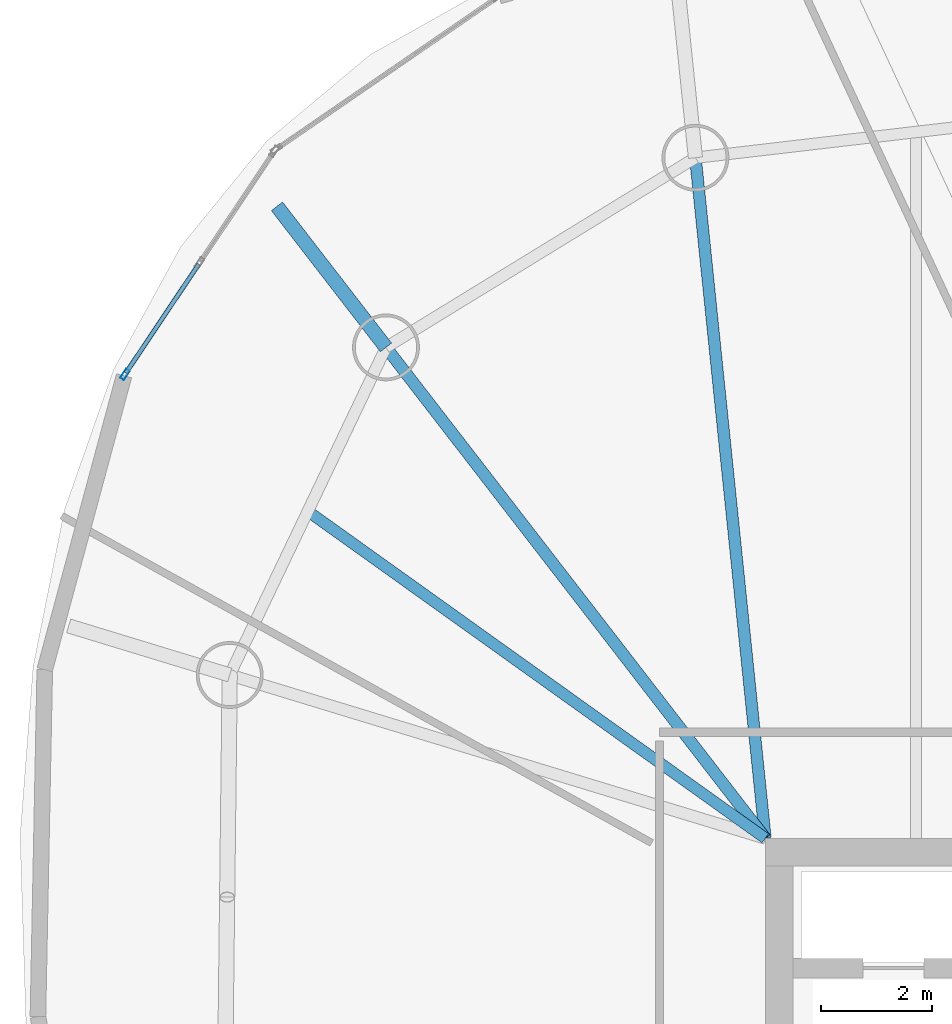
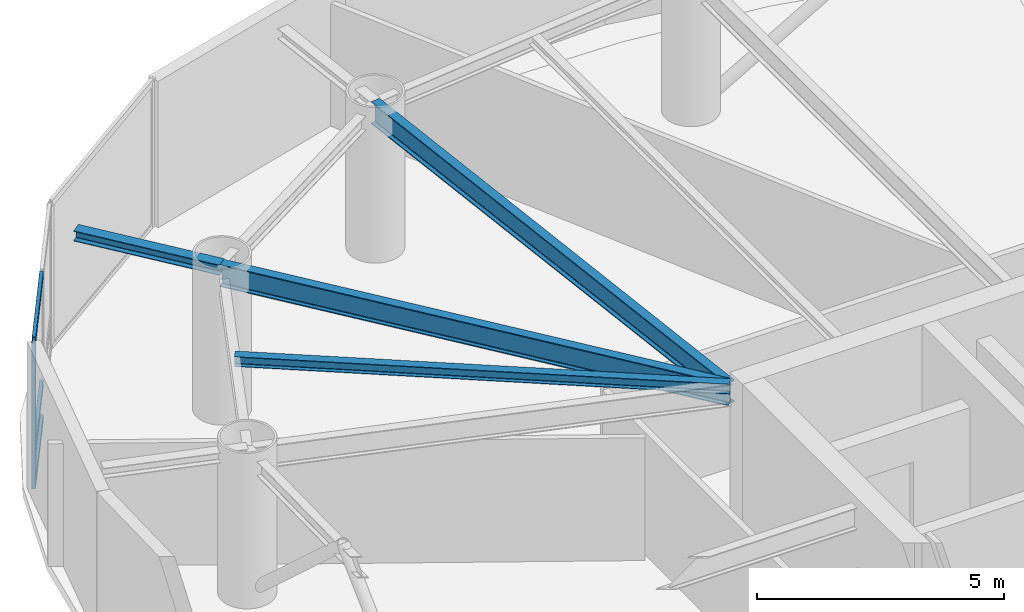
# One storey, part 6 of 16: 4 beams, 4 members, 1 element without a shape of its own.
"""IFC4 building model written with IfcOpenShell, lengths in metres."""

from ifc_helpers import new_model, si_unit, direction, frame, origin, origin_2d, place, context, subcontext, project, spatial, hollow_rectangle, i_section, extrude, material, layer, layer_set, material_profile, profile_set, type_object, element, aggregate, save


model = new_model("IFC4")

# Units and contexts
model_context = context("Model", 3, precision=1e-05, world=origin(), true_north=direction((0.0, 1.0)))
body_context = subcontext(model_context, "Body", "Model", "MODEL_VIEW")
ifc_project = project(units=[si_unit("LENGTHUNIT", "METRE"), si_unit("AREAUNIT", "SQUARE_METRE"), si_unit("VOLUMEUNIT", "CUBIC_METRE"), si_unit("PLANEANGLEUNIT", "RADIAN"), si_unit("MASSUNIT", "GRAM", prefix="KILO")], contexts=[model_context])

# Site, building, storey
site_placement = place(None, origin())
site = spatial("IfcSite", under=ifc_project, at=site_placement, CompositionType="ELEMENT")
building_placement = place(site_placement, origin())
building = spatial("IfcBuilding", under=site, at=building_placement, Name="Bramvorn Convention Spire", CompositionType="ELEMENT")
storey_placement = place(building_placement, frame((0.0, 0.0, 209.699951171875)))
storey = spatial("IfcBuildingStorey", under=building, at=storey_placement, Name="L53", CompositionType="ELEMENT", Elevation=209.699951171875)

# Beams
ifc_material_1 = material(Name="Steel CSA G40.21 Grade 350 (350W)", Category="steel")
ifc_material_profile_1 = material_profile(ifc_material_1, i_section(OverallWidth=0.201904296875, OverallDepth=0.2470703125, WebThickness=0.00732421875, FlangeThickness=0.010986328125, FilletRadius=0.011962890625, at=origin_2d()))
ifc_profile_set_1 = profile_set([ifc_material_profile_1], Name="Steel CSA G40.21 Grade 350 (350W) - W250X49")
beam_type_1 = type_object("IfcBeamType", Name="BM-W250X49", PredefinedType="JOIST", material=ifc_profile_set_1)
beam_1_placement = place(storey_placement, frame((26.75, 33.449951171875, 3.49658203125), z_axis=(-0.813471895271, 0.581604225916, 0.0), x_axis=(-0.581604225916, -0.813471895271, 0.0)))
element("IfcBeam", 1, at=beam_1_placement, inside=storey, type_object=beam_type_1, Name="L53 composite floor joist 09", PredefinedType="JOIST", context=body_context, shape_type="SweptSolid", body=[
    extrude(i_section(OverallWidth=0.201904296875, OverallDepth=0.2470703125, WebThickness=0.00732421875, FlangeThickness=0.010986328125, FilletRadius=0.011962890625, at=origin_2d()), origin(), (0.0, 0.0, 1.0), 10.093505859375),
])
ifc_material_profile_2 = material_profile(ifc_material_1, i_section(OverallWidth=0.25390625, OverallDepth=0.2529296875, WebThickness=0.008544921875, FlangeThickness=0.01416015625, FilletRadius=0.011962890625, at=origin_2d()))
ifc_profile_set_2 = profile_set([ifc_material_profile_2], Name="Steel CSA G40.21 Grade 350 (350W) - W250X73")
beam_type_2 = type_object("IfcBeamType", Name="BM-W250X73", PredefinedType="BEAM", material=ifc_profile_set_2)
beam_2_placement = place(storey_placement, frame((19.941650390625, 42.260009765625, 3.49365234375), z_axis=(-0.611497441422, 0.791246408607, 0.0), x_axis=(-0.791246408607, -0.611497441422, 0.0)))
element("IfcBeam", 2, at=beam_2_placement, inside=storey, type_object=beam_type_2, Name="L53 slab-edge cantilever tip beam MC09", PredefinedType="BEAM", context=body_context, shape_type="SweptSolid", body=[
    extrude(i_section(OverallWidth=0.25390625, OverallDepth=0.2529296875, WebThickness=0.008544921875, FlangeThickness=0.01416015625, FilletRadius=0.011962890625, at=origin_2d()), origin(), (0.0, 0.0, 1.0), 3.199951171875),
])
ifc_material_profile_3 = material_profile(ifc_material_1, i_section(OverallWidth=0.2119140625, OverallDepth=0.5439453125, WebThickness=0.01318359375, FlangeThickness=0.021240234375, FilletRadius=0.01904296875, at=origin_2d()))
ifc_profile_set_3 = profile_set([ifc_material_profile_3], Name="Steel CSA G40.21 Grade 350 (350W) - W530X123")
beam_type_3 = type_object("IfcBeamType", Name="BM-W530X123", PredefinedType="BEAM", material=ifc_profile_set_3)
beam_3_placement = place(storey_placement, frame((26.75, 33.449951171875, 3.34814453125), z_axis=(-0.10216509146, 0.994767457292, 0.0), x_axis=(-0.994767457292, -0.10216509146, 0.0)))
element("IfcBeam", 3, at=beam_3_placement, inside=storey, type_object=beam_type_3, Name="L53 radial floor girder MC08", PredefinedType="BEAM", context=body_context, shape_type="SweptSolid", body=[
    extrude(i_section(OverallWidth=0.2119140625, OverallDepth=0.5439453125, WebThickness=0.01318359375, FlangeThickness=0.021240234375, FilletRadius=0.01904296875, at=origin_2d()), origin(), (0.0, 0.0, 1.0), 12.278076171875),
])
beam_4_placement = place(storey_placement, frame((26.75, 33.449951171875, 3.34814453125), z_axis=(-0.611479951477, 0.791259925019, 0.0), x_axis=(-0.791259925019, -0.611479951477, 0.0)))
element("IfcBeam", 4, at=beam_4_placement, inside=storey, type_object=beam_type_3, Name="L53 radial floor girder MC09", PredefinedType="BEAM", context=body_context, shape_type="SweptSolid", body=[
    extrude(i_section(OverallWidth=0.2119140625, OverallDepth=0.5439453125, WebThickness=0.01318359375, FlangeThickness=0.021240234375, FilletRadius=0.01904296875, at=origin_2d()), origin(), (0.0, 0.0, 1.0), 11.13427734375),
])

# Curtain wall, members
ifc_material_2 = material(Name="Anodised Bronze Unitised Curtain Wall", Category="aluminium")
ifc_layer = layer(ifc_material_2, 0.179931640625)
ifc_layer_set = layer_set([ifc_layer], Name="Anodised Bronze Unitised Curtain Wall - CW-OFF-FRIT")
curtain_wall_type = type_object("IfcCurtainWallType", Name="CW-OFF-FRIT", PredefinedType="USERDEFINED", material=ifc_layer_set)
curtain_wall_placement = place(storey_placement, origin())
curtain_wall = element("IfcCurtainWall", 5, at=curtain_wall_placement, inside=storey, type_object=curtain_wall_type, Name="L53 fritted glass curtain wall 13", ObjectType="UNITISED CURTAIN WALL", PredefinedType="USERDEFINED")
ifc_material_3 = material(Name="Anodised Bronze Aluminium 6063-T6", Category="aluminium")
ifc_material_profile_4 = material_profile(ifc_material_3, hollow_rectangle(XDim=0.080078125, YDim=0.199951171875, WallThickness=0.00390625, InnerFilletRadius=0.0009765625, OuterFilletRadius=0.00390625, at=origin_2d()))
ifc_profile_set_4 = profile_set([ifc_material_profile_4], Name="Anodised Bronze Aluminium 6063-T6 - CWM80X200")
member_type_1 = type_object("IfcMemberType", Name="CW-MUL-180", PredefinedType="MULLION", material=ifc_profile_set_4)
member_1_placement = place(storey_placement, frame((15.257568359375, 41.776123046875, 0.0), z_axis=(0.0, 0.0, 1.0), x_axis=(-0.831143705963, 0.5560576769, 0.0)))
member_1 = element("IfcMember", 6, at=member_1_placement, type_object=member_type_1, Name="CW3 mullion 1", PredefinedType="MULLION", context=body_context, shape_type="SweptSolid", body=[
    extrude(hollow_rectangle(XDim=0.080078125, YDim=0.199951171875, WallThickness=0.00390625, InnerFilletRadius=0.0009765625, OuterFilletRadius=0.00390625, at=origin_2d()), origin(), (0.0, 0.0, 1.0), 3.6201171875),
])
ifc_material_profile_5 = material_profile(ifc_material_3, hollow_rectangle(XDim=0.080078125, YDim=0.159912109375, WallThickness=0.00390625, InnerFilletRadius=0.0009765625, OuterFilletRadius=0.00390625, at=origin_2d()))
ifc_profile_set_5 = profile_set([ifc_material_profile_5], Name="Anodised Bronze Aluminium 6063-T6 - CWT80X160")
member_type_2 = type_object("IfcMemberType", Name="CW-TRN-150", PredefinedType="USERDEFINED", material=ifc_profile_set_5)
member_2_placement = place(storey_placement, frame((15.274169921875, 41.80126953125, 0.030029296875), z_axis=(0.556114932598, 0.831105397493, 0.0), x_axis=(-0.831105397493, 0.556114932598, 0.0)))
member_2 = element("IfcMember", 7, at=member_2_placement, type_object=member_type_2, Name="CW3 transom 1.1", ObjectType="TRANSOM", PredefinedType="USERDEFINED", context=body_context, shape_type="SweptSolid", body=[
    extrude(hollow_rectangle(XDim=0.080078125, YDim=0.159912109375, WallThickness=0.00390625, InnerFilletRadius=0.0009765625, OuterFilletRadius=0.00390625, at=origin_2d()), origin(), (0.0, 0.0, 1.0), 2.348388671875),
])
member_3_placement = place(storey_placement, frame((15.274169921875, 41.80126953125, 0.900146484375), z_axis=(0.556114932598, 0.831105397493, 0.0), x_axis=(-0.831105397493, 0.556114932598, 0.0)))
member_3 = element("IfcMember", 8, at=member_3_placement, type_object=member_type_2, Name="CW3 transom 1.2", ObjectType="TRANSOM", PredefinedType="USERDEFINED", context=body_context, shape_type="SweptSolid", body=[
    extrude(hollow_rectangle(XDim=0.080078125, YDim=0.159912109375, WallThickness=0.00390625, InnerFilletRadius=0.0009765625, OuterFilletRadius=0.00390625, at=origin_2d()), origin(), (0.0, 0.0, 1.0), 2.348388671875),
])
member_4_placement = place(storey_placement, frame((15.274169921875, 41.80126953125, 3.590087890625), z_axis=(0.556114932598, 0.831105397493, 0.0), x_axis=(-0.831105397493, 0.556114932598, 0.0)))
member_4 = element("IfcMember", 9, at=member_4_placement, type_object=member_type_2, Name="CW3 transom 1.3", ObjectType="TRANSOM", PredefinedType="USERDEFINED", context=body_context, shape_type="SweptSolid", body=[
    extrude(hollow_rectangle(XDim=0.080078125, YDim=0.159912109375, WallThickness=0.00390625, InnerFilletRadius=0.0009765625, OuterFilletRadius=0.00390625, at=origin_2d()), origin(), (0.0, 0.0, 1.0), 2.348388671875),
])
aggregate(curtain_wall, [member_1, member_2, member_3, member_4])

save(model, "model.ifc")
